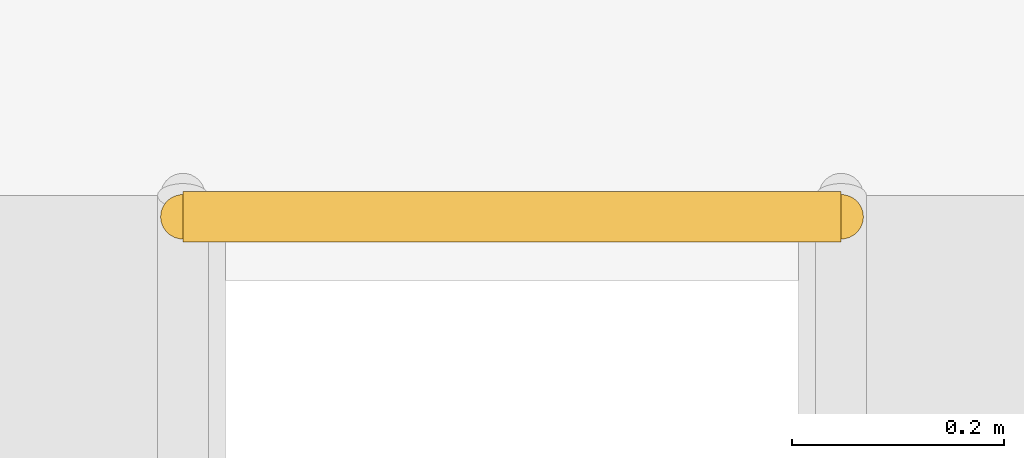
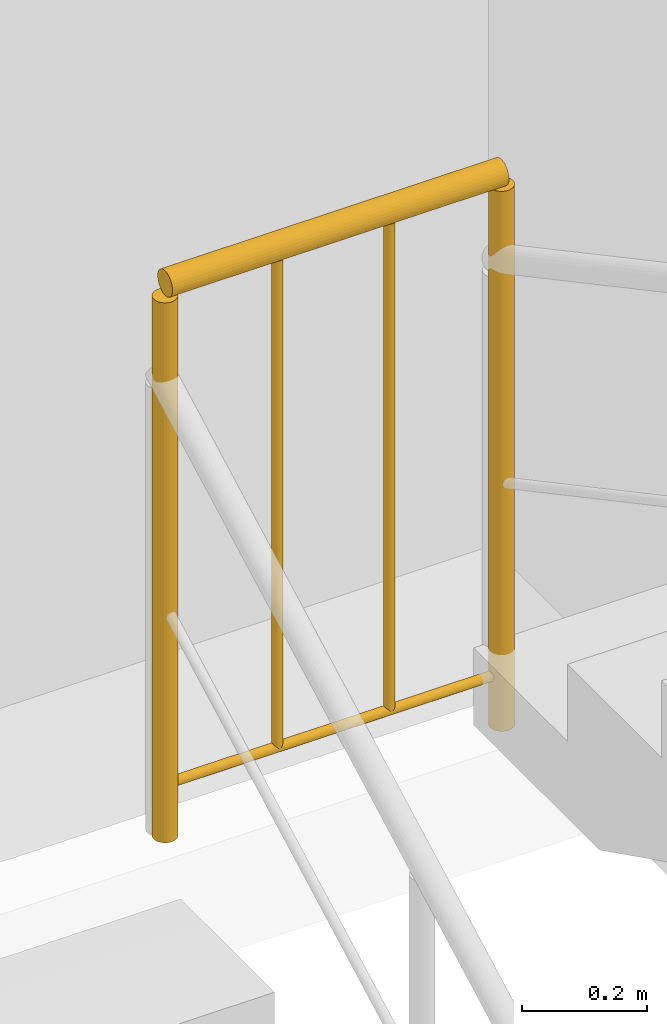
# One storey, part 26 of 26: 1 railing.
"""IFC4 building model written with IfcOpenShell, lengths in metres."""

from ifc_helpers import new_model, si_unit, direction, frame, origin, origin_2d, place, context, subcontext, project, spatial, circle, extrude, material, layer, layer_set, type_object, element, save


model = new_model("IFC4")

# Units and contexts
model_context = context("Model", 3, precision=1e-05, world=origin(), true_north=direction((0.0, 1.0)))
body_context = subcontext(model_context, "Body", "Model", "MODEL_VIEW")
ifc_project = project(units=[si_unit("LENGTHUNIT", "METRE"), si_unit("AREAUNIT", "SQUARE_METRE"), si_unit("VOLUMEUNIT", "CUBIC_METRE"), si_unit("PLANEANGLEUNIT", "RADIAN"), si_unit("MASSUNIT", "GRAM", prefix="KILO")], contexts=[model_context])

# Site, building, storey
site_placement = place(None, origin())
site = spatial("IfcSite", under=ifc_project, at=site_placement, CompositionType="ELEMENT")
building_placement = place(site_placement, origin())
building = spatial("IfcBuilding", under=site, at=building_placement, Name="Zaverband Oceanarium and Marine Research Institute", CompositionType="ELEMENT")
storey_placement = place(building_placement, frame((0.0, 0.0, -4.5)))
storey = spatial("IfcBuildingStorey", under=building, at=storey_placement, Name="B1", CompositionType="ELEMENT", Elevation=-4.5)

# Railing
ifc_material = material(Name="Steel S355", Category="steel")
ifc_layer = layer(ifc_material, 0.06005859375, Name="Steel S355")
ifc_layer_set = layer_set([ifc_layer], Name="Steel S355")
railing_type = type_object("IfcRailingType", Name="GRD-1100", PredefinedType="BALUSTRADE", material=ifc_layer_set)
railing_placement = place(storey_placement, frame((137.18994140625, 86.6298828125, 2.25)))
element("IfcRailing", 1, at=railing_placement, inside=storey, type_object=railing_type, Name="1100 mm steel post-and-baluster safety guard GRD-1100", PredefinedType="BALUSTRADE", context=body_context, shape_type="SweptSolid", body=[
    extrude(circle(Radius=0.02392578125, at=origin_2d()), frame((0.0, 0.0, 1.076171875), z_axis=(1.0, 0.0, 0.0), x_axis=(0.0, 1.0, 0.0)), (0.0, 0.0, 1.0), 0.6201171875),
    extrude(circle(Radius=0.009033203125, at=origin_2d()), frame((0.0, 0.0, 0.10009765625), z_axis=(1.0, 0.0, 0.0), x_axis=(0.0, 1.0, 0.0)), (0.0, 0.0, 1.0), 0.6201171875),
    extrude(circle(Radius=0.009033203125, at=origin_2d()), frame((0.206787109375, 0.0, 0.10009765625)), (0.0, 0.0, 1.0), 0.951904296875),
    extrude(circle(Radius=0.009033203125, at=origin_2d()), frame((0.413330078125, 0.0, 0.10009765625)), (0.0, 0.0, 1.0), 0.951904296875),
    extrude(circle(Radius=0.02099609375, at=origin_2d()), origin(), (0.0, 0.0, 1.0), 1.052001953125),
    extrude(circle(Radius=0.02099609375, at=origin_2d()), frame((0.6201171875, 0.0, 0.0)), (0.0, 0.0, 1.0), 1.052001953125),
])

save(model, "model.ifc")
